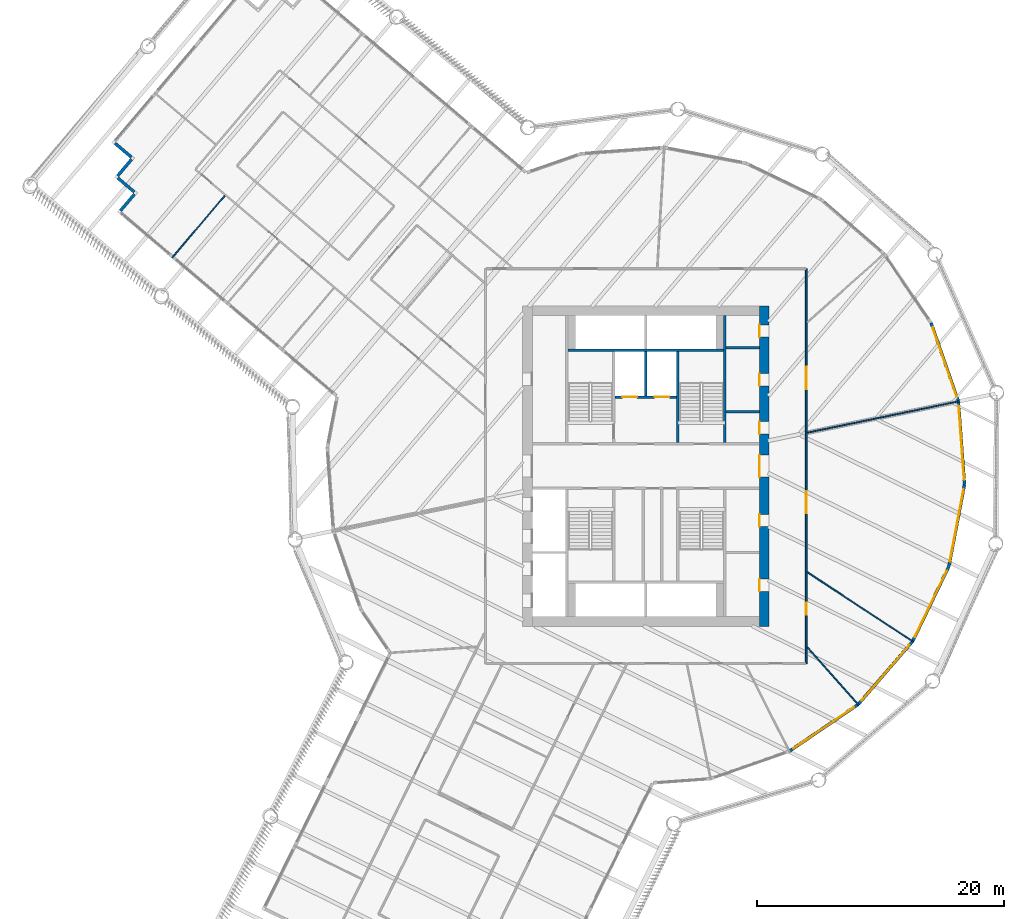
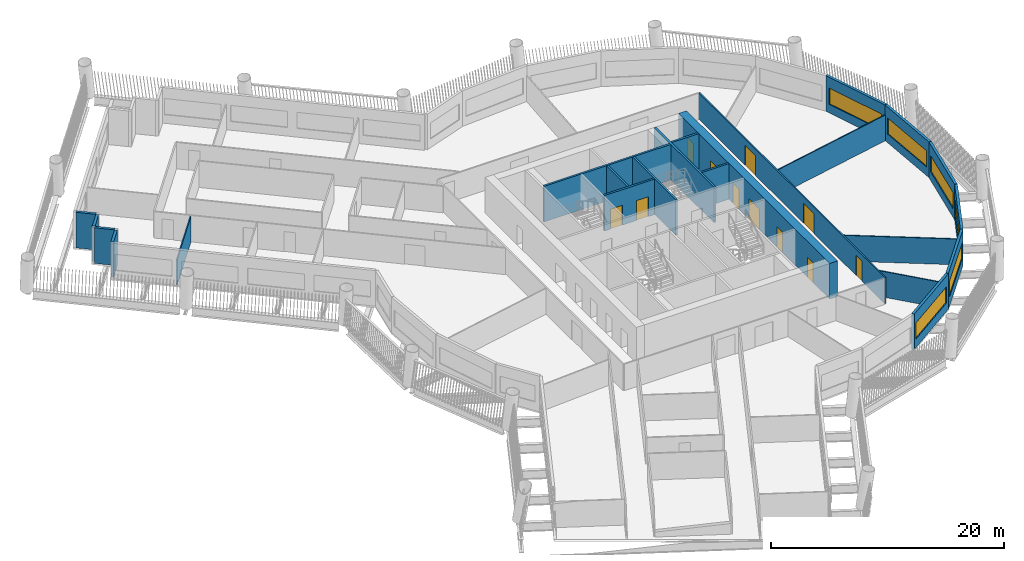
# One storey, part 5 of 16: 23 walls, 11 doors, 6 windows, 17 openings.
"""IFC4 building model written with IfcOpenShell, lengths in metres."""

from ifc_helpers import new_model, si_unit, direction, frame, frame_2d, origin, place, context, subcontext, project, spatial, rectangle, extrude, material, layer, layer_set, type_object, element, fill, save


model = new_model("IFC4")

# Units and contexts
model_context = context("Model", 3, precision=1e-05, world=origin(), true_north=direction((0.0, 1.0)))
body_context = subcontext(model_context, "Body", "Model", "MODEL_VIEW")
ifc_project = project(units=[si_unit("LENGTHUNIT", "METRE"), si_unit("AREAUNIT", "SQUARE_METRE"), si_unit("VOLUMEUNIT", "CUBIC_METRE"), si_unit("PLANEANGLEUNIT", "RADIAN"), si_unit("MASSUNIT", "GRAM", prefix="KILO")], contexts=[model_context])

# Site, building, storey
site_placement = place(None, origin())
site = spatial("IfcSite", under=ifc_project, at=site_placement, CompositionType="ELEMENT")
building_placement = place(site_placement, origin())
building = spatial("IfcBuilding", under=site, at=building_placement, Name="Tarsis Ring Headquarters", CompositionType="ELEMENT")
storey_placement = place(building_placement, frame((0.0, 0.0, 104.5)))
storey = spatial("IfcBuildingStorey", under=building, at=storey_placement, Name="L23", CompositionType="ELEMENT", Elevation=104.5)

# Walls
ifc_material_1 = material(Name="Blockwork", Category="masonry")
ifc_layer_1 = layer(ifc_material_1, 0.199951171875)
ifc_layer_set_1 = layer_set([ifc_layer_1], Name="Core blockwork wall 200")
wall_type_1 = type_object("IfcWallType", Name="Core blockwork wall 200", PredefinedType="PARTITIONING", material=ifc_layer_set_1)
for number, where, z_axis, x_axis, name in (
    (1, (6.5, 4.39990234375, 0.0), (0.0, 0.0, 1.0), (1.0, 0.0, 0.0), "Core partition ED5"),
    (2, (6.5, 9.60009765625, 0.0), (0.0, 0.0, 1.0), (1.0, 0.0, 0.0), "Core partition ED7"),
):
    element("IfcWall", number, at=place(storey_placement, frame(where, z_axis=z_axis, x_axis=x_axis)), inside=storey, type_object=wall_type_1, Name=name, PredefinedType="PARTITIONING", context=body_context, shape_type="SweptSolid", body=[
        extrude(rectangle(XDim=2.699951171875, YDim=0.199951171875, at=frame_2d((1.35009765625, 0.0))), origin(), (0.0, 0.0, 1.0), 3.739990234375),
    ])

# Wall, openings, doors
ifc_material_2 = material(Name="Concrete C60/75", Category="concrete")
ifc_layer_2 = layer(ifc_material_2, 0.800048828125)
ifc_layer_set_2 = layer_set([ifc_layer_2], Name="Core wall 800 C60/75")
wall_type_2 = type_object("IfcWallType", Name="Core wall 800 C60/75", PredefinedType="SHEAR", material=ifc_layer_set_2)
wall_1_placement = place(storey_placement, frame((9.60009765625, -13.0, 0.0), z_axis=(0.0, 0.0, 1.0), x_axis=(0.0, 1.0, 0.0)))
wall_1 = element("IfcWall", 3, at=wall_1_placement, inside=storey, type_object=wall_type_2, Name="Core wall OE", PredefinedType="SHEAR", context=body_context, shape_type="SweptSolid", body=[
    extrude(rectangle(XDim=26.0, YDim=0.800048828125, at=frame_2d((13.0, 0.0))), origin(), (0.0, 0.0, 1.0), 3.739990234375),
])
opening_1_placement = place(wall_1_placement, frame((2.85009765625, 0.0, 0.0)))
opening_1 = element("IfcOpeningElement", 4, at=opening_1_placement, cuts=wall_1, Name="Opening L23-C07", PredefinedType="OPENING", context=body_context, shape_type="SweptSolid", body=[
    extrude(rectangle(XDim=1.0, YDim=2.10009765625, at=frame_2d((0.5, 1.050048828125))), frame((0.0, 0.409912109375, 0.0), z_axis=(0.0, -1.0, 0.0), x_axis=(1.0, 0.0, 0.0)), (0.0, 0.0, 1.0), 0.820068359375),
])
opening_2_placement = place(wall_1_placement, frame((8.10009765625, 0.0, 0.0)))
opening_2 = element("IfcOpeningElement", 5, at=opening_2_placement, cuts=wall_1, Name="Opening L23-C08", PredefinedType="OPENING", context=body_context, shape_type="SweptSolid", body=[
    extrude(rectangle(XDim=1.0, YDim=2.10009765625, at=frame_2d((0.5, 1.050048828125))), frame((0.0, 0.409912109375, 0.0), z_axis=(0.0, -1.0, 0.0), x_axis=(1.0, 0.0, 0.0)), (0.0, 0.0, 1.0), 0.820068359375),
])
opening_3_placement = place(wall_1_placement, frame((12.10009765625, 0.0, 0.0)))
opening_3 = element("IfcOpeningElement", 6, at=opening_3_placement, cuts=wall_1, Name="Opening L23-C09", PredefinedType="OPENING", context=body_context, shape_type="SweptSolid", body=[
    extrude(rectangle(XDim=1.800048828125, YDim=2.10009765625, at=frame_2d((0.89990234375, 1.050048828125))), frame((0.0, 0.409912109375, 0.0), z_axis=(0.0, -1.0, 0.0), x_axis=(1.0, 0.0, 0.0)), (0.0, 0.0, 1.0), 0.820068359375),
])
opening_4_placement = place(wall_1_placement, frame((15.60009765625, 0.0, 0.0)))
opening_4 = element("IfcOpeningElement", 7, at=opening_4_placement, cuts=wall_1, Name="Opening L23-C10", PredefinedType="OPENING", context=body_context, shape_type="SweptSolid", body=[
    extrude(rectangle(XDim=1.0, YDim=2.10009765625, at=frame_2d((0.5, 1.050048828125))), frame((0.0, 0.409912109375, 0.0), z_axis=(0.0, -1.0, 0.0), x_axis=(1.0, 0.0, 0.0)), (0.0, 0.0, 1.0), 0.820068359375),
])
opening_5_placement = place(wall_1_placement, frame((19.5, 0.0, 0.0)))
opening_5 = element("IfcOpeningElement", 8, at=opening_5_placement, cuts=wall_1, Name="Opening L23-C11", PredefinedType="OPENING", context=body_context, shape_type="SweptSolid", body=[
    extrude(rectangle(XDim=1.0, YDim=2.10009765625, at=frame_2d((0.5, 1.050048828125))), frame((0.0, 0.409912109375, 0.0), z_axis=(0.0, -1.0, 0.0), x_axis=(1.0, 0.0, 0.0)), (0.0, 0.0, 1.0), 0.820068359375),
])
opening_6_placement = place(wall_1_placement, frame((23.449951171875, 0.0, 0.0)))
opening_6 = element("IfcOpeningElement", 9, at=opening_6_placement, cuts=wall_1, Name="Opening L23-C12", PredefinedType="OPENING", context=body_context, shape_type="SweptSolid", body=[
    extrude(rectangle(XDim=1.0, YDim=2.10009765625, at=frame_2d((0.5, 1.050048828125))), frame((0.0, 0.409912109375, 0.0), z_axis=(0.0, -1.0, 0.0), x_axis=(1.0, 0.0, 0.0)), (0.0, 0.0, 1.0), 0.820068359375),
])
ifc_material_3 = material(Name="Steel S355", Category="steel")
door_type_1 = type_object("IfcDoorType", Name="Core entry door 1800x2100", OperationType="DOUBLE_DOOR_SINGLE_SWING", PredefinedType="DOOR", material=ifc_material_3)
door_1_placement = place(opening_3_placement, origin())
door_1 = element("IfcDoor", 10, at=door_1_placement, inside=storey, type_object=door_type_1, Name="Core entry door L23", OperationType="DOUBLE_DOOR_SINGLE_SWING", OverallHeight=2.10009765625, OverallWidth=1.800048828125, PredefinedType="DOOR", context=body_context, shape_type="SweptSolid", body=[
    extrude(rectangle(XDim=1.800048828125, YDim=2.10009765625, at=frame_2d((0.89990234375, 1.050048828125))), frame((0.0, 0.39990234375, 0.0), z_axis=(0.0, -1.0, 0.0), x_axis=(1.0, 0.0, 0.0)), (0.0, 0.0, 1.0), 0.050048828125),
])
fill(opening_3, door_1)
door_type_2 = type_object("IfcDoorType", Name="Core room door 1000x2100", OperationType="SINGLE_SWING_LEFT", PredefinedType="DOOR", material=ifc_material_3)
door_2_placement = place(opening_1_placement, origin())
door_2 = element("IfcDoor", 11, at=door_2_placement, inside=storey, type_object=door_type_2, Name="Core room door L23", OperationType="SINGLE_SWING_LEFT", OverallHeight=2.10009765625, OverallWidth=1.0, PredefinedType="DOOR", context=body_context, shape_type="SweptSolid", body=[
    extrude(rectangle(XDim=1.0, YDim=2.10009765625, at=frame_2d((0.5, 1.050048828125))), frame((0.0, 0.39990234375, 0.0), z_axis=(0.0, -1.0, 0.0), x_axis=(1.0, 0.0, 0.0)), (0.0, 0.0, 1.0), 0.050048828125),
])
fill(opening_1, door_2)
door_3_placement = place(opening_2_placement, origin())
door_3 = element("IfcDoor", 12, at=door_3_placement, inside=storey, type_object=door_type_2, Name="Core room door L23", OperationType="SINGLE_SWING_LEFT", OverallHeight=2.10009765625, OverallWidth=1.0, PredefinedType="DOOR", context=body_context, shape_type="SweptSolid", body=[
    extrude(rectangle(XDim=1.0, YDim=2.10009765625, at=frame_2d((0.5, 1.050048828125))), frame((0.0, 0.39990234375, 0.0), z_axis=(0.0, -1.0, 0.0), x_axis=(1.0, 0.0, 0.0)), (0.0, 0.0, 1.0), 0.050048828125),
])
fill(opening_2, door_3)
door_4_placement = place(opening_4_placement, origin())
door_4 = element("IfcDoor", 13, at=door_4_placement, inside=storey, type_object=door_type_2, Name="Core room door L23", OperationType="SINGLE_SWING_LEFT", OverallHeight=2.10009765625, OverallWidth=1.0, PredefinedType="DOOR", context=body_context, shape_type="SweptSolid", body=[
    extrude(rectangle(XDim=1.0, YDim=2.10009765625, at=frame_2d((0.5, 1.050048828125))), frame((0.0, 0.39990234375, 0.0), z_axis=(0.0, -1.0, 0.0), x_axis=(1.0, 0.0, 0.0)), (0.0, 0.0, 1.0), 0.050048828125),
])
fill(opening_4, door_4)
door_5_placement = place(opening_5_placement, origin())
door_5 = element("IfcDoor", 14, at=door_5_placement, inside=storey, type_object=door_type_2, Name="Core room door L23", OperationType="SINGLE_SWING_LEFT", OverallHeight=2.10009765625, OverallWidth=1.0, PredefinedType="DOOR", context=body_context, shape_type="SweptSolid", body=[
    extrude(rectangle(XDim=1.0, YDim=2.10009765625, at=frame_2d((0.5, 1.050048828125))), frame((0.0, 0.39990234375, 0.0), z_axis=(0.0, -1.0, 0.0), x_axis=(1.0, 0.0, 0.0)), (0.0, 0.0, 1.0), 0.050048828125),
])
fill(opening_5, door_5)
door_6_placement = place(opening_6_placement, origin())
door_6 = element("IfcDoor", 15, at=door_6_placement, inside=storey, type_object=door_type_2, Name="Core room door L23", OperationType="SINGLE_SWING_LEFT", OverallHeight=2.10009765625, OverallWidth=1.0, PredefinedType="DOOR", context=body_context, shape_type="SweptSolid", body=[
    extrude(rectangle(XDim=1.0, YDim=2.10009765625, at=frame_2d((0.5, 1.050048828125))), frame((0.0, 0.39990234375, 0.0), z_axis=(0.0, -1.0, 0.0), x_axis=(1.0, 0.0, 0.0)), (0.0, 0.0, 1.0), 0.050048828125),
])
fill(opening_6, door_6)

# Walls
ifc_material_4 = material(Name="Gypsum board on steel studs", Category="steel")
ifc_layer_3 = layer(ifc_material_4, 0.10009765625)
ifc_layer_set_3 = layer_set([ifc_layer_3], Name="FL partition 100 unrated")
wall_type_3 = type_object("IfcWallType", Name="FL partition 100 unrated", PredefinedType="PARTITIONING", material=ifc_layer_set_3)
wall_2_placement = place(storey_placement, frame((13.068603515625, 2.706298828125, 0.0), z_axis=(0.0, 0.0, 1.0), x_axis=(0.979220372677, 0.202799067389, 0.0)))
element("IfcWall", 16, at=wall_2_placement, inside=storey, type_object=wall_type_3, Name="Partition PW3", PredefinedType="PARTITIONING", context=body_context, shape_type="SweptSolid", body=[
    extrude(rectangle(XDim=12.60205078125, YDim=0.10009765625, at=frame_2d((6.301025390625, 0.0))), origin(), (0.0, 0.0, 1.0), 2.699951171875),
])
wall_3_placement = place(storey_placement, frame((13.08349609375, -8.59423828125, 0.0), z_axis=(0.0, 0.0, 1.0), x_axis=(0.835803738162, -0.549028333762, 0.0)))
element("IfcWall", 17, at=wall_3_placement, inside=storey, type_object=wall_type_3, Name="Partition PW3", PredefinedType="PARTITIONING", context=body_context, shape_type="SweptSolid", body=[
    extrude(rectangle(XDim=10.294189453125, YDim=0.10009765625, at=frame_2d((5.14697265625, 0.0))), origin(), (0.0, 0.0, 1.0), 2.699951171875),
])
wall_4_placement = place(storey_placement, frame((-38.39599609375, 16.8935546875, 0.0), z_axis=(0.0, 0.0, 1.0), x_axis=(0.646800806573, 0.76265897793, 0.0)))
element("IfcWall", 18, at=wall_4_placement, inside=storey, type_object=wall_type_3, Name="Partition PW3", PredefinedType="PARTITIONING", context=body_context, shape_type="SweptSolid", body=[
    extrude(rectangle(XDim=6.599853515625, YDim=0.10009765625, at=frame_2d((3.2998046875, 0.0))), origin(), (0.0, 0.0, 1.0), 2.699951171875),
])
wall_5_placement = place(storey_placement, frame((13.08642578125, -14.68798828125, 0.0), z_axis=(0.0, 0.0, 1.0), x_axis=(0.665242320295, -0.746627521117, 0.0)))
element("IfcWall", 19, at=wall_5_placement, inside=storey, type_object=wall_type_3, Name="Partition PW3", PredefinedType="PARTITIONING", context=body_context, shape_type="SweptSolid", body=[
    extrude(rectangle(XDim=6.275634765625, YDim=0.10009765625, at=frame_2d((3.1376953125, 0.0))), origin(), (0.0, 0.0, 1.0), 2.699951171875),
])

# Wall, openings, doors
ifc_layer_4 = layer(ifc_material_4, 0.125)
ifc_layer_set_4 = layer_set([ifc_layer_4], Name="FL partition 125 EI 60 H2770")
wall_type_4 = type_object("IfcWallType", Name="FL partition 125 EI 60 H2770", PredefinedType="PARTITIONING", material=ifc_layer_set_4)
wall_6_placement = place(storey_placement, frame((13.0, -16.0, 0.0), z_axis=(0.0, 0.0, 1.0), x_axis=(0.0, 1.0, 0.0)))
wall_6 = element("IfcWall", 20, at=wall_6_placement, inside=storey, type_object=wall_type_4, Name="Partition PW1", PredefinedType="PARTITIONING", context=body_context, shape_type="SweptSolid", body=[
    extrude(rectangle(XDim=32.0, YDim=0.125, at=frame_2d((16.0, 0.0))), origin(), (0.0, 0.0, 1.0), 2.77001953125),
])
opening_7_placement = place(wall_6_placement, frame((22.2373046875, 0.0, 0.0)))
opening_7 = element("IfcOpeningElement", 21, at=opening_7_placement, cuts=wall_6, Name="Opening D23.06", PredefinedType="OPENING", context=body_context, shape_type="SweptSolid", body=[
    extrude(rectangle(XDim=1.800048828125, YDim=2.10009765625, at=frame_2d((0.89990234375, 1.050048828125))), frame((0.0, 0.072509765625, 0.0), z_axis=(0.0, -1.0, 0.0), x_axis=(1.0, 0.0, 0.0)), (0.0, 0.0, 1.0), 0.14501953125),
])
opening_8_placement = place(wall_6_placement, frame((12.176513671875, 0.0, 0.0)))
opening_8 = element("IfcOpeningElement", 22, at=opening_8_placement, cuts=wall_6, Name="Opening D23.07", PredefinedType="OPENING", context=body_context, shape_type="SweptSolid", body=[
    extrude(rectangle(XDim=1.800048828125, YDim=2.10009765625, at=frame_2d((0.89990234375, 1.050048828125))), frame((0.0, 0.072509765625, 0.0), z_axis=(0.0, -1.0, 0.0), x_axis=(1.0, 0.0, 0.0)), (0.0, 0.0, 1.0), 0.14501953125),
])
opening_9_placement = place(wall_6_placement, frame((3.934814453125, 0.0, 0.0)))
opening_9 = element("IfcOpeningElement", 23, at=opening_9_placement, cuts=wall_6, Name="Opening D23.08", PredefinedType="OPENING", context=body_context, shape_type="SweptSolid", body=[
    extrude(rectangle(XDim=1.0, YDim=2.10009765625, at=frame_2d((0.5, 1.050048828125))), frame((0.0, 0.072509765625, 0.0), z_axis=(0.0, -1.0, 0.0), x_axis=(1.0, 0.0, 0.0)), (0.0, 0.0, 1.0), 0.14501953125),
])
ifc_material_5 = material(Name="Fire-rated timber door leaf in steel frame", Category="steel")
door_type_3 = type_object("IfcDoorType", Name="FL door FD60-1000", OperationType="NOTDEFINED", PredefinedType="DOOR", material=ifc_material_5)
door_7_placement = place(opening_9_placement, origin())
door_7 = element("IfcDoor", 24, at=door_7_placement, inside=storey, type_object=door_type_3, Name="Door D23.08", OperationType="SINGLE_SWING_LEFT", OverallHeight=2.10009765625, OverallWidth=1.0, PredefinedType="DOOR", context=body_context, shape_type="SweptSolid", body=[
    extrude(rectangle(XDim=1.0, YDim=2.10009765625, at=frame_2d((0.5, 1.050048828125))), frame((0.0, 0.02490234375, 0.0), z_axis=(0.0, -1.0, 0.0), x_axis=(1.0, 0.0, 0.0)), (0.0, 0.0, 1.0), 0.050048828125),
])
fill(opening_9, door_7)
door_type_4 = type_object("IfcDoorType", Name="FL door FD60-1800", OperationType="DOUBLE_DOOR_SINGLE_SWING", PredefinedType="DOOR", material=ifc_material_5)
door_8_placement = place(opening_7_placement, origin())
door_8 = element("IfcDoor", 25, at=door_8_placement, inside=storey, type_object=door_type_4, Name="Door D23.06", OperationType="DOUBLE_DOOR_SINGLE_SWING", OverallHeight=2.10009765625, OverallWidth=1.800048828125, PredefinedType="DOOR", context=body_context, shape_type="SweptSolid", body=[
    extrude(rectangle(XDim=1.800048828125, YDim=2.10009765625, at=frame_2d((0.89990234375, 1.050048828125))), frame((0.0, 0.02490234375, 0.0), z_axis=(0.0, -1.0, 0.0), x_axis=(1.0, 0.0, 0.0)), (0.0, 0.0, 1.0), 0.050048828125),
])
fill(opening_7, door_8)
door_9_placement = place(opening_8_placement, origin())
door_9 = element("IfcDoor", 26, at=door_9_placement, inside=storey, type_object=door_type_4, Name="Door D23.07", OperationType="DOUBLE_DOOR_SINGLE_SWING", OverallHeight=2.10009765625, OverallWidth=1.800048828125, PredefinedType="DOOR", context=body_context, shape_type="SweptSolid", body=[
    extrude(rectangle(XDim=1.800048828125, YDim=2.10009765625, at=frame_2d((0.89990234375, 1.050048828125))), frame((0.0, 0.02490234375, 0.0), z_axis=(0.0, -1.0, 0.0), x_axis=(1.0, 0.0, 0.0)), (0.0, 0.0, 1.0), 0.050048828125),
])
fill(opening_8, door_9)

# Wall, opening, window
ifc_material_6 = material(Name="Terracotta clad insulated panel wall", Category="masonry")
ifc_layer_5 = layer(ifc_material_6, 0.25)
ifc_layer_set_5 = layer_set([ifc_layer_5], Name="Facade wall terracotta panel 250")
wall_type_5 = type_object("IfcWallType", Name="Facade wall terracotta panel 250", PredefinedType="STANDARD", material=ifc_layer_set_5)
wall_7_placement = place(storey_placement, frame((11.63916015625, -23.105712890625, 0.0), z_axis=(0.0, 0.0, 1.0), x_axis=(0.827083201995, 0.562079511259, 0.0)))
wall_7 = element("IfcWall", 27, at=wall_7_placement, inside=storey, type_object=wall_type_5, Name="External wall L23-19", PredefinedType="STANDARD", context=body_context, shape_type="SweptSolid", body=[
    extrude(rectangle(XDim=6.7216796875, YDim=0.25, at=frame_2d((3.36083984375, 0.0))), origin(), (0.0, 0.0, 1.0), 3.739990234375),
])
opening_10_placement = place(wall_7_placement, frame((0.3857421875, 0.0, 0.89990234375)))
opening_10 = element("IfcOpeningElement", 28, at=opening_10_placement, cuts=wall_7, Name="Opening WN07", PredefinedType="OPENING", context=body_context, shape_type="SweptSolid", body=[
    extrude(rectangle(XDim=5.949951171875, YDim=1.699951171875, at=frame_2d((2.97509765625, 0.85009765625))), frame((0.0, 0.135009765625, 0.0), z_axis=(0.0, -1.0, 0.0), x_axis=(1.0, 0.0, 0.0)), (0.0, 0.0, 1.0), 0.27001953125),
])
ifc_material_7 = material(Name="Aluminium framed double glazing", Category="aluminium")
window_type = type_object("IfcWindowType", Name="Facade window 5950 x 1700", PartitioningType="SINGLE_PANEL", PredefinedType="WINDOW", material=ifc_material_7)
window_1_placement = place(opening_10_placement, origin())
window_1 = element("IfcWindow", 29, at=window_1_placement, inside=storey, type_object=window_type, Name="Window L23-19.1", OverallHeight=1.699951171875, OverallWidth=5.949951171875, PartitioningType="SINGLE_PANEL", PredefinedType="WINDOW", context=body_context, shape_type="SweptSolid", body=[
    extrude(rectangle(XDim=5.949951171875, YDim=1.699951171875, at=frame_2d((2.97509765625, 0.85009765625))), frame((0.0, 0.030029296875, 0.0), z_axis=(0.0, -1.0, 0.0), x_axis=(1.0, 0.0, 0.0)), (0.0, 0.0, 1.0), 0.06005859375),
])
fill(opening_10, window_1)

wall_8_placement = place(storey_placement, frame((17.222900390625, -19.305908203125, 0.0), z_axis=(0.0, 0.0, 1.0), x_axis=(0.653410849621, 0.757003475288, 0.0)))
wall_8 = element("IfcWall", 30, at=wall_8_placement, inside=storey, type_object=wall_type_5, Name="External wall L23-20", PredefinedType="STANDARD", context=body_context, shape_type="SweptSolid", body=[
    extrude(rectangle(XDim=6.721435546875, YDim=0.25, at=frame_2d((3.36083984375, 0.0))), origin(), (0.0, 0.0, 1.0), 3.739990234375),
])
opening_11_placement = place(wall_8_placement, frame((0.3857421875, 0.0, 0.89990234375)))
opening_11 = element("IfcOpeningElement", 31, at=opening_11_placement, cuts=wall_8, Name="Opening WN07", PredefinedType="OPENING", context=body_context, shape_type="SweptSolid", body=[
    extrude(rectangle(XDim=5.949951171875, YDim=1.699951171875, at=frame_2d((2.97509765625, 0.85009765625))), frame((0.0, 0.135009765625, 0.0), z_axis=(0.0, -1.0, 0.0), x_axis=(1.0, 0.0, 0.0)), (0.0, 0.0, 1.0), 0.27001953125),
])
window_2_placement = place(opening_11_placement, origin())
window_2 = element("IfcWindow", 32, at=window_2_placement, inside=storey, type_object=window_type, Name="Window L23-20.1", OverallHeight=1.699951171875, OverallWidth=5.949951171875, PartitioningType="SINGLE_PANEL", PredefinedType="WINDOW", context=body_context, shape_type="SweptSolid", body=[
    extrude(rectangle(XDim=5.949951171875, YDim=1.699951171875, at=frame_2d((2.97509765625, 0.85009765625))), frame((0.0, 0.030029296875, 0.0), z_axis=(0.0, -1.0, 0.0), x_axis=(1.0, 0.0, 0.0)), (0.0, 0.0, 1.0), 0.06005859375),
])
fill(opening_11, window_2)

wall_9_placement = place(storey_placement, frame((21.6328125, -14.190673828125, 0.0), z_axis=(0.0, 0.0, 1.0), x_axis=(0.435202029072, 0.900332823955, 0.0)))
wall_9 = element("IfcWall", 33, at=wall_9_placement, inside=storey, type_object=wall_type_5, Name="External wall L23-21", PredefinedType="STANDARD", context=body_context, shape_type="SweptSolid", body=[
    extrude(rectangle(XDim=6.7216796875, YDim=0.25, at=frame_2d((3.36083984375, 0.0))), origin(), (0.0, 0.0, 1.0), 3.739990234375),
])
opening_12_placement = place(wall_9_placement, frame((0.3857421875, 0.0, 0.89990234375)))
opening_12 = element("IfcOpeningElement", 34, at=opening_12_placement, cuts=wall_9, Name="Opening WN07", PredefinedType="OPENING", context=body_context, shape_type="SweptSolid", body=[
    extrude(rectangle(XDim=5.949951171875, YDim=1.699951171875, at=frame_2d((2.97509765625, 0.85009765625))), frame((0.0, 0.135009765625, 0.0), z_axis=(0.0, -1.0, 0.0), x_axis=(1.0, 0.0, 0.0)), (0.0, 0.0, 1.0), 0.27001953125),
])
window_3_placement = place(opening_12_placement, origin())
window_3 = element("IfcWindow", 35, at=window_3_placement, inside=storey, type_object=window_type, Name="Window L23-21.1", OverallHeight=1.699951171875, OverallWidth=5.949951171875, PartitioningType="SINGLE_PANEL", PredefinedType="WINDOW", context=body_context, shape_type="SweptSolid", body=[
    extrude(rectangle(XDim=5.949951171875, YDim=1.699951171875, at=frame_2d((2.97509765625, 0.85009765625))), frame((0.0, 0.030029296875, 0.0), z_axis=(0.0, -1.0, 0.0), x_axis=(1.0, 0.0, 0.0)), (0.0, 0.0, 1.0), 0.06005859375),
])
fill(opening_12, window_3)

wall_10_placement = place(storey_placement, frame((24.568359375, -8.108154296875, 0.0), z_axis=(0.0, 0.0, 1.0), x_axis=(0.187384156546, 0.982286708592, 0.0)))
wall_10 = element("IfcWall", 36, at=wall_10_placement, inside=storey, type_object=wall_type_5, Name="External wall L23-22", PredefinedType="STANDARD", context=body_context, shape_type="SweptSolid", body=[
    extrude(rectangle(XDim=6.7216796875, YDim=0.25, at=frame_2d((3.36083984375, 0.0))), origin(), (0.0, 0.0, 1.0), 3.739990234375),
])
opening_13_placement = place(wall_10_placement, frame((0.3857421875, 0.0, 0.89990234375)))
opening_13 = element("IfcOpeningElement", 37, at=opening_13_placement, cuts=wall_10, Name="Opening WN07", PredefinedType="OPENING", context=body_context, shape_type="SweptSolid", body=[
    extrude(rectangle(XDim=5.949951171875, YDim=1.699951171875, at=frame_2d((2.97509765625, 0.85009765625))), frame((0.0, 0.135009765625, 0.0), z_axis=(0.0, -1.0, 0.0), x_axis=(1.0, 0.0, 0.0)), (0.0, 0.0, 1.0), 0.27001953125),
])
window_4_placement = place(opening_13_placement, origin())
window_4 = element("IfcWindow", 38, at=window_4_placement, inside=storey, type_object=window_type, Name="Window L23-22.1", OverallHeight=1.699951171875, OverallWidth=5.949951171875, PartitioningType="SINGLE_PANEL", PredefinedType="WINDOW", context=body_context, shape_type="SweptSolid", body=[
    extrude(rectangle(XDim=5.949951171875, YDim=1.699951171875, at=frame_2d((2.97509765625, 0.85009765625))), frame((0.0, 0.030029296875, 0.0), z_axis=(0.0, -1.0, 0.0), x_axis=(1.0, 0.0, 0.0)), (0.0, 0.0, 1.0), 0.06005859375),
])
fill(opening_13, window_4)

wall_11_placement = place(storey_placement, frame((25.829833984375, -1.472900390625, 0.0), z_axis=(0.0, 0.0, 1.0), x_axis=(-0.073226779194, 0.997315315639, 0.0)))
wall_11 = element("IfcWall", 39, at=wall_11_placement, inside=storey, type_object=wall_type_5, Name="External wall L23-23", PredefinedType="STANDARD", context=body_context, shape_type="SweptSolid", body=[
    extrude(rectangle(XDim=6.721435546875, YDim=0.25, at=frame_2d((3.36083984375, 0.0))), origin(), (0.0, 0.0, 1.0), 3.739990234375),
])
opening_14_placement = place(wall_11_placement, frame((0.3857421875, 0.0, 0.89990234375)))
opening_14 = element("IfcOpeningElement", 40, at=opening_14_placement, cuts=wall_11, Name="Opening WN07", PredefinedType="OPENING", context=body_context, shape_type="SweptSolid", body=[
    extrude(rectangle(XDim=5.949951171875, YDim=1.699951171875, at=frame_2d((2.97509765625, 0.85009765625))), frame((0.0, 0.135009765625, 0.0), z_axis=(0.0, -1.0, 0.0), x_axis=(1.0, 0.0, 0.0)), (0.0, 0.0, 1.0), 0.27001953125),
])
window_5_placement = place(opening_14_placement, origin())
window_5 = element("IfcWindow", 41, at=window_5_placement, inside=storey, type_object=window_type, Name="Window L23-23.1", OverallHeight=1.699951171875, OverallWidth=5.949951171875, PartitioningType="SINGLE_PANEL", PredefinedType="WINDOW", context=body_context, shape_type="SweptSolid", body=[
    extrude(rectangle(XDim=5.949951171875, YDim=1.699951171875, at=frame_2d((2.97509765625, 0.85009765625))), frame((0.0, 0.030029296875, 0.0), z_axis=(0.0, -1.0, 0.0), x_axis=(1.0, 0.0, 0.0)), (0.0, 0.0, 1.0), 0.06005859375),
])
fill(opening_14, window_5)

wall_12_placement = place(storey_placement, frame((25.330810546875, 5.262451171875, 0.0), z_axis=(0.0, 0.0, 1.0), x_axis=(-0.3288615303, 0.944378151954, 0.0)))
wall_12 = element("IfcWall", 42, at=wall_12_placement, inside=storey, type_object=wall_type_5, Name="External wall L23-24", PredefinedType="STANDARD", context=body_context, shape_type="SweptSolid", body=[
    extrude(rectangle(XDim=6.721435546875, YDim=0.25, at=frame_2d((3.36083984375, 0.0))), origin(), (0.0, 0.0, 1.0), 3.739990234375),
])
opening_15_placement = place(wall_12_placement, frame((0.3857421875, 0.0, 0.89990234375)))
opening_15 = element("IfcOpeningElement", 43, at=opening_15_placement, cuts=wall_12, Name="Opening WN07", PredefinedType="OPENING", context=body_context, shape_type="SweptSolid", body=[
    extrude(rectangle(XDim=5.949951171875, YDim=1.699951171875, at=frame_2d((2.97509765625, 0.85009765625))), frame((0.0, 0.135009765625, 0.0), z_axis=(0.0, -1.0, 0.0), x_axis=(1.0, 0.0, 0.0)), (0.0, 0.0, 1.0), 0.27001953125),
])
window_6_placement = place(opening_15_placement, origin())
window_6 = element("IfcWindow", 44, at=window_6_placement, inside=storey, type_object=window_type, Name="Window L23-24.1", OverallHeight=1.699951171875, OverallWidth=5.949951171875, PartitioningType="SINGLE_PANEL", PredefinedType="WINDOW", context=body_context, shape_type="SweptSolid", body=[
    extrude(rectangle(XDim=5.949951171875, YDim=1.699951171875, at=frame_2d((2.97509765625, 0.85009765625))), frame((0.0, 0.030029296875, 0.0), z_axis=(0.0, -1.0, 0.0), x_axis=(1.0, 0.0, 0.0)), (0.0, 0.0, 1.0), 0.06005859375),
])
fill(opening_15, window_6)

# Walls
for number, where, z_axis, x_axis, name in (
    (45, (-43.0361328125, 26.171875, 0.0), (0.0, 0.0, 1.0), (0.762565443261, -0.646911079473, 0.0), "External wall L23-37"),
    (46, (-41.68701171875, 24.86376953125, 0.0), (0.0, 0.0, 1.0), (-0.646761120773, -0.762692633147, 0.0), "External wall L23-38"),
    (47, (-42.804443359375, 23.352783203125, 0.0), (0.0, 0.0, 1.0), (0.762692633147, -0.646761120773, 0.0), "External wall L23-39"),
):
    element("IfcWall", number, at=place(storey_placement, frame(where, z_axis=z_axis, x_axis=x_axis)), inside=storey, type_object=wall_type_5, Name=name, PredefinedType="STANDARD", context=body_context, shape_type="SweptSolid", body=[
        extrude(rectangle(XDim=1.75, YDim=0.25, at=frame_2d((0.875, 0.0))), origin(), (0.0, 0.0, 1.0), 3.739990234375),
    ])
wall_13_placement = place(storey_placement, frame((-41.455322265625, 22.044677734375, 0.0), z_axis=(0.0, 0.0, 1.0), x_axis=(-0.646829942177, -0.762634267459, 0.0)))
element("IfcWall", 48, at=wall_13_placement, inside=storey, type_object=wall_type_5, Name="External wall L23-40", PredefinedType="STANDARD", context=body_context, shape_type="SweptSolid", body=[
    extrude(rectangle(XDim=1.749755859375, YDim=0.25, at=frame_2d((0.875, 0.0))), origin(), (0.0, 0.0, 1.0), 3.739990234375),
])
ifc_material_8 = material(Name="Concrete C32/40", Category="concrete")
ifc_layer_6 = layer(ifc_material_8, 0.199951171875)
ifc_layer_set_6 = layer_set([ifc_layer_6], Name="Shaft wall 200 C32/40")
wall_type_6 = type_object("IfcWallType", Name="Shaft wall 200 C32/40", PredefinedType="SOLIDWALL", material=ifc_layer_set_6)
wall_14_placement = place(storey_placement, frame((6.39990234375, 1.89990234375, 0.0), z_axis=(0.0, 0.0, 1.0), x_axis=(0.0, 1.0, 0.0)))
element("IfcWall", 49, at=wall_14_placement, inside=storey, type_object=wall_type_6, Name="Core shaft wall EB2", PredefinedType="SOLIDWALL", context=body_context, shape_type="SweptSolid", body=[
    extrude(rectangle(XDim=10.300048828125, YDim=0.199951171875, at=frame_2d((5.14990234375, 0.0))), origin(), (0.0, 0.0, 1.0), 3.739990234375),
])
wall_15_placement = place(storey_placement, frame((-6.300048828125, 9.39990234375, 0.0), z_axis=(0.0, 0.0, 1.0), x_axis=(1.0, 0.0, 0.0)))
element("IfcWall", 50, at=wall_15_placement, inside=storey, type_object=wall_type_6, Name="Core shaft wall NB", PredefinedType="SOLIDWALL", context=body_context, shape_type="SweptSolid", body=[
    extrude(rectangle(XDim=12.60009765625, YDim=0.199951171875, at=frame_2d((6.300048828125, 0.0))), origin(), (0.0, 0.0, 1.0), 3.739990234375),
])
wall_16_placement = place(storey_placement, frame((2.60009765625, 1.89990234375, 0.0), z_axis=(0.0, 0.0, 1.0), x_axis=(0.0, 1.0, 0.0)))
element("IfcWall", 51, at=wall_16_placement, inside=storey, type_object=wall_type_6, Name="Core shaft wall SW2", PredefinedType="SOLIDWALL", context=body_context, shape_type="SweptSolid", body=[
    extrude(rectangle(XDim=7.400146484375, YDim=0.199951171875, at=frame_2d((3.7001953125, 0.0))), origin(), (0.0, 0.0, 1.0), 3.739990234375),
])

# Wall, openings, doors
wall_17_placement = place(storey_placement, frame((-2.5, 5.60009765625, 0.0), z_axis=(0.0, 0.0, 1.0), x_axis=(1.0, 0.0, 0.0)))
wall_17 = element("IfcWall", 52, at=wall_17_placement, inside=storey, type_object=wall_type_6, Name="Core shaft wall FFN", PredefinedType="SOLIDWALL", context=body_context, shape_type="SweptSolid", body=[
    extrude(rectangle(XDim=5.0, YDim=0.199951171875, at=frame_2d((2.5, 0.0))), origin(), (0.0, 0.0, 1.0), 3.739990234375),
])
opening_16_placement = place(wall_17_placement, frame((0.60009765625, 0.0, 0.0)))
opening_16 = element("IfcOpeningElement", 53, at=opening_16_placement, cuts=wall_17, Name="Opening LDF-1", PredefinedType="OPENING", context=body_context, shape_type="SweptSolid", body=[
    extrude(rectangle(XDim=1.199951171875, YDim=2.10009765625, at=frame_2d((0.60009765625, 1.050048828125))), frame((0.0, 0.10986328125, 0.0), z_axis=(0.0, -1.0, 0.0), x_axis=(1.0, 0.0, 0.0)), (0.0, 0.0, 1.0), 0.219970703125),
])
opening_17_placement = place(wall_17_placement, frame((3.199951171875, 0.0, 0.0)))
opening_17 = element("IfcOpeningElement", 54, at=opening_17_placement, cuts=wall_17, Name="Opening LDF-2", PredefinedType="OPENING", context=body_context, shape_type="SweptSolid", body=[
    extrude(rectangle(XDim=1.199951171875, YDim=2.10009765625, at=frame_2d((0.60009765625, 1.050048828125))), frame((0.0, 0.10986328125, 0.0), z_axis=(0.0, -1.0, 0.0), x_axis=(1.0, 0.0, 0.0)), (0.0, 0.0, 1.0), 0.219970703125),
])
door_type_5 = type_object("IfcDoorType", Name="Firefighting landing door 1200x2100", OperationType="SLIDING_TO_LEFT", PredefinedType="DOOR", material=ifc_material_3)
door_10_placement = place(opening_16_placement, origin())
door_10 = element("IfcDoor", 55, at=door_10_placement, inside=storey, type_object=door_type_5, Name="Landing door FF1 L23", OperationType="SLIDING_TO_LEFT", OverallHeight=2.10009765625, OverallWidth=1.199951171875, PredefinedType="DOOR", context=body_context, shape_type="SweptSolid", body=[
    extrude(rectangle(XDim=1.199951171875, YDim=2.10009765625, at=frame_2d((0.60009765625, 1.050048828125))), frame((0.0, 0.02490234375, 0.0), z_axis=(0.0, -1.0, 0.0), x_axis=(1.0, 0.0, 0.0)), (0.0, 0.0, 1.0), 0.050048828125),
])
fill(opening_16, door_10)
door_11_placement = place(opening_17_placement, origin())
door_11 = element("IfcDoor", 56, at=door_11_placement, inside=storey, type_object=door_type_5, Name="Landing door FF2 L23", OperationType="SLIDING_TO_LEFT", OverallHeight=2.10009765625, OverallWidth=1.199951171875, PredefinedType="DOOR", context=body_context, shape_type="SweptSolid", body=[
    extrude(rectangle(XDim=1.199951171875, YDim=2.10009765625, at=frame_2d((0.60009765625, 1.050048828125))), frame((0.0, 0.02490234375, 0.0), z_axis=(0.0, -1.0, 0.0), x_axis=(1.0, 0.0, 0.0)), (0.0, 0.0, 1.0), 0.050048828125),
])
fill(opening_17, door_11)

# Wall
wall_18_placement = place(storey_placement, frame((0.0, 5.699951171875, 0.0), z_axis=(0.0, 0.0, 1.0), x_axis=(0.0, 1.0, 0.0)))
element("IfcWall", 57, at=wall_18_placement, inside=storey, type_object=wall_type_6, Name="Core shaft wall FFD", PredefinedType="SOLIDWALL", context=body_context, shape_type="SweptSolid", body=[
    extrude(rectangle(XDim=3.60009765625, YDim=0.199951171875, at=frame_2d((1.800048828125, 0.0))), origin(), (0.0, 0.0, 1.0), 3.739990234375),
])

save(model, "model.ifc")
